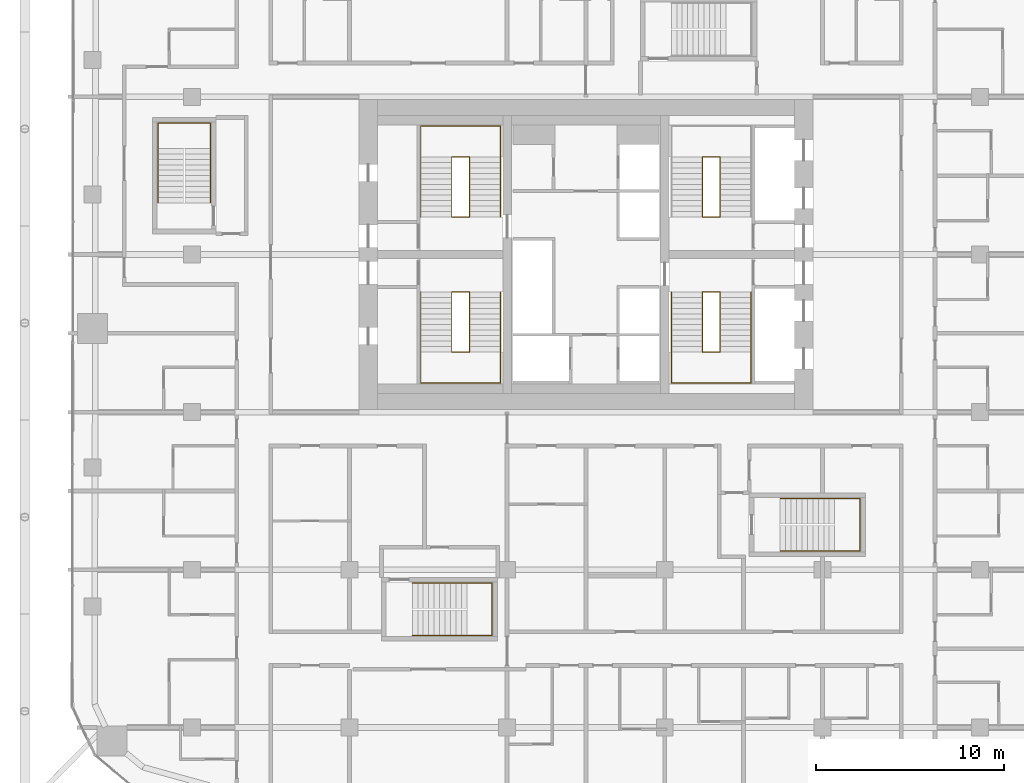
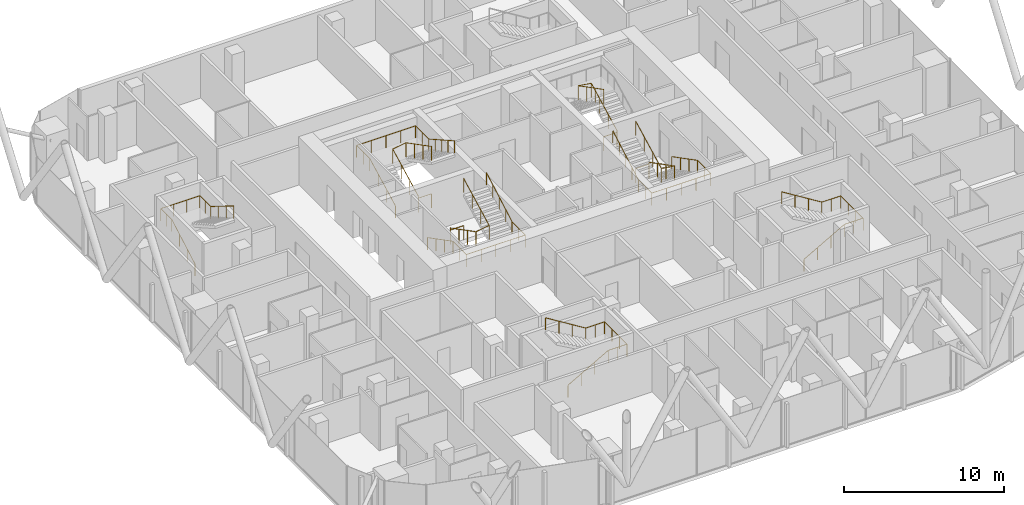
# One storey, part 32 of 33: 10 railings.
"""IFC4 building model written with IfcOpenShell, lengths in metres."""

from ifc_helpers import new_model, si_unit, direction, frame, origin, origin_2d, place, context, subcontext, project, spatial, circle, extrude, material, type_object, element, save


model = new_model("IFC4")

# Units and contexts
model_context = context("Model", 3, precision=1e-05, world=origin(), true_north=direction((0.0, 1.0)))
body_context = subcontext(model_context, "Body", "Model", "MODEL_VIEW")
ifc_project = project(units=[si_unit("LENGTHUNIT", "METRE"), si_unit("AREAUNIT", "SQUARE_METRE"), si_unit("VOLUMEUNIT", "CUBIC_METRE"), si_unit("PLANEANGLEUNIT", "RADIAN"), si_unit("MASSUNIT", "GRAM", prefix="KILO")], contexts=[model_context])

# Site, building, storey
site_placement = place(None, origin())
site = spatial("IfcSite", under=ifc_project, at=site_placement, CompositionType="ELEMENT")
building_placement = place(site_placement, origin())
building = spatial("IfcBuilding", under=site, at=building_placement, Name="Marenta Gate Hotel Tower", CompositionType="ELEMENT")
storey_placement = place(building_placement, frame((0.0, 0.0, 137.300048828125)))
storey = spatial("IfcBuildingStorey", under=building, at=storey_placement, Name="L31", CompositionType="ELEMENT", Elevation=137.300048828125)

# Railings
ifc_material_1 = material(Name="Stainless steel", Category="steel")
railing_type_1 = type_object("IfcRailingType", Name="Core stair handrail 950", PredefinedType="HANDRAIL", material=ifc_material_1)
railing_1_placement = place(storey_placement, frame((-8.800048828125, 6.39990234375, 0.14990234375)))
element("IfcRailing", 1, at=railing_1_placement, inside=storey, type_object=railing_type_1, Name="HR-950 L31-KR-ST1-1", PredefinedType="HANDRAIL", context=body_context, shape_type="SweptSolid", body=[
    extrude(circle(Radius=0.02392578125, at=origin_2d()), frame((0.0, 0.0, 0.92578125), z_axis=(0.0, -0.888197555067, 0.459461753765), x_axis=(1.0, 0.0, 0.0)), (0.0, 0.0, 1.0), 3.591552734375),
    extrude(circle(Radius=0.02392578125, at=origin_2d()), frame((0.0, -3.18994140625, 2.576171875), z_axis=(0.0, -1.0, 0.0), x_axis=(1.0, 0.0, 0.0)), (0.0, 0.0, 1.0), 1.659912109375),
    extrude(circle(Radius=0.02392578125, at=origin_2d()), frame((0.0, -4.849853515625, 2.576171875), z_axis=(1.0, 0.0, 0.0), x_axis=(0.0, 1.0, 0.0)), (0.0, 0.0, 1.0), 4.25),
    extrude(circle(Radius=0.02392578125, at=origin_2d()), frame((4.25, -4.849853515625, 2.576171875), z_axis=(0.0, 1.0, 0.0), x_axis=(-1.0, 0.0, 0.0)), (0.0, 0.0, 1.0), 1.659912109375),
    extrude(circle(Radius=0.02392578125, at=origin_2d()), frame((4.25, -3.18994140625, 2.576171875), z_axis=(0.0, 0.870937506535, 0.491393792911), x_axis=(-1.0, 0.0, 0.0)), (0.0, 0.0, 1.0), 3.66259765625),
    extrude(circle(Radius=0.02099609375, at=origin_2d()), origin(), (0.0, 0.0, 1.0), 0.90185546875),
    extrude(circle(Radius=0.02099609375, at=origin_2d()), frame((0.0, -1.063232421875, 0.550048828125)), (0.0, 0.0, 1.0), 0.90185546875),
    extrude(circle(Radius=0.02099609375, at=origin_2d()), frame((0.0, -2.126708984375, 1.10009765625)), (0.0, 0.0, 1.0), 0.90185546875),
    extrude(circle(Radius=0.02099609375, at=origin_2d()), frame((0.0, -3.18994140625, 1.650146484375)), (0.0, 0.0, 1.0), 0.90185546875),
    extrude(circle(Radius=0.02099609375, at=origin_2d()), frame((0.0, -4.02001953125, 1.650146484375)), (0.0, 0.0, 1.0), 0.90185546875),
    extrude(circle(Radius=0.02099609375, at=origin_2d()), frame((0.0, -4.849853515625, 1.650146484375)), (0.0, 0.0, 1.0), 0.90185546875),
    extrude(circle(Radius=0.02099609375, at=origin_2d()), frame((1.0625, -4.849853515625, 1.650146484375)), (0.0, 0.0, 1.0), 0.90185546875),
    extrude(circle(Radius=0.02099609375, at=origin_2d()), frame((2.125, -4.849853515625, 1.650146484375)), (0.0, 0.0, 1.0), 0.90185546875),
    extrude(circle(Radius=0.02099609375, at=origin_2d()), frame((3.1875, -4.849853515625, 1.650146484375)), (0.0, 0.0, 1.0), 0.90185546875),
    extrude(circle(Radius=0.02099609375, at=origin_2d()), frame((4.25, -4.849853515625, 1.650146484375)), (0.0, 0.0, 1.0), 0.90185546875),
    extrude(circle(Radius=0.02099609375, at=origin_2d()), frame((4.25, -4.02001953125, 1.650146484375)), (0.0, 0.0, 1.0), 0.90185546875),
    extrude(circle(Radius=0.02099609375, at=origin_2d()), frame((4.25, -3.18994140625, 1.650146484375)), (0.0, 0.0, 1.0), 0.90185546875),
    extrude(circle(Radius=0.02099609375, at=origin_2d()), frame((4.25, -2.392578125, 2.10009765625)), (0.0, 0.0, 1.0), 0.90185546875),
    extrude(circle(Radius=0.02099609375, at=origin_2d()), frame((4.25, -1.594970703125, 2.550048828125)), (0.0, 0.0, 1.0), 0.90185546875),
    extrude(circle(Radius=0.02099609375, at=origin_2d()), frame((4.25, -0.79736328125, 3.0)), (0.0, 0.0, 1.0), 0.90185546875),
    extrude(circle(Radius=0.02099609375, at=origin_2d()), frame((4.25, 0.0, 3.449951171875)), (0.0, 0.0, 1.0), 0.90185546875),
])
railing_2_placement = place(storey_placement, frame((-8.800048828125, 10.39990234375, 0.14990234375)))
element("IfcRailing", 2, at=railing_2_placement, inside=storey, type_object=railing_type_1, Name="HR-950 L31-KR-ST2-1", PredefinedType="HANDRAIL", context=body_context, shape_type="SweptSolid", body=[
    extrude(circle(Radius=0.02392578125, at=origin_2d()), frame((0.0, 0.0, 0.92578125), z_axis=(0.0, 0.888211904222, 0.459434013977), x_axis=(-1.0, 0.0, 0.0)), (0.0, 0.0, 1.0), 3.591796875),
    extrude(circle(Radius=0.02392578125, at=origin_2d()), frame((0.0, 3.190185546875, 2.576171875), z_axis=(0.0, 1.0, 0.0), x_axis=(-1.0, 0.0, 0.0)), (0.0, 0.0, 1.0), 1.659912109375),
    extrude(circle(Radius=0.02392578125, at=origin_2d()), frame((0.0, 4.85009765625, 2.576171875), z_axis=(1.0, 0.0, 0.0), x_axis=(0.0, 1.0, 0.0)), (0.0, 0.0, 1.0), 4.25),
    extrude(circle(Radius=0.02392578125, at=origin_2d()), frame((4.25, 4.85009765625, 2.576171875), z_axis=(0.0, -1.0, 0.0), x_axis=(1.0, 0.0, 0.0)), (0.0, 0.0, 1.0), 1.659912109375),
    extrude(circle(Radius=0.02392578125, at=origin_2d()), frame((4.25, 3.190185546875, 2.576171875), z_axis=(0.0, -0.870953600603, 0.491365266982), x_axis=(1.0, 0.0, 0.0)), (0.0, 0.0, 1.0), 3.662841796875),
    extrude(circle(Radius=0.02099609375, at=origin_2d()), origin(), (0.0, 0.0, 1.0), 0.90185546875),
    extrude(circle(Radius=0.02099609375, at=origin_2d()), frame((0.0, 1.0634765625, 0.550048828125)), (0.0, 0.0, 1.0), 0.90185546875),
    extrude(circle(Radius=0.02099609375, at=origin_2d()), frame((0.0, 2.126708984375, 1.10009765625)), (0.0, 0.0, 1.0), 0.90185546875),
    extrude(circle(Radius=0.02099609375, at=origin_2d()), frame((0.0, 3.190185546875, 1.650146484375)), (0.0, 0.0, 1.0), 0.90185546875),
    extrude(circle(Radius=0.02099609375, at=origin_2d()), frame((0.0, 4.02001953125, 1.650146484375)), (0.0, 0.0, 1.0), 0.90185546875),
    extrude(circle(Radius=0.02099609375, at=origin_2d()), frame((0.0, 4.85009765625, 1.650146484375)), (0.0, 0.0, 1.0), 0.90185546875),
    extrude(circle(Radius=0.02099609375, at=origin_2d()), frame((1.0625, 4.85009765625, 1.650146484375)), (0.0, 0.0, 1.0), 0.90185546875),
    extrude(circle(Radius=0.02099609375, at=origin_2d()), frame((2.125, 4.85009765625, 1.650146484375)), (0.0, 0.0, 1.0), 0.90185546875),
    extrude(circle(Radius=0.02099609375, at=origin_2d()), frame((3.1875, 4.85009765625, 1.650146484375)), (0.0, 0.0, 1.0), 0.90185546875),
    extrude(circle(Radius=0.02099609375, at=origin_2d()), frame((4.25, 4.85009765625, 1.650146484375)), (0.0, 0.0, 1.0), 0.90185546875),
    extrude(circle(Radius=0.02099609375, at=origin_2d()), frame((4.25, 4.02001953125, 1.650146484375)), (0.0, 0.0, 1.0), 0.90185546875),
    extrude(circle(Radius=0.02099609375, at=origin_2d()), frame((4.25, 3.190185546875, 1.650146484375)), (0.0, 0.0, 1.0), 0.90185546875),
    extrude(circle(Radius=0.02099609375, at=origin_2d()), frame((4.25, 2.392578125, 2.10009765625)), (0.0, 0.0, 1.0), 0.90185546875),
    extrude(circle(Radius=0.02099609375, at=origin_2d()), frame((4.25, 1.59521484375, 2.550048828125)), (0.0, 0.0, 1.0), 0.90185546875),
    extrude(circle(Radius=0.02099609375, at=origin_2d()), frame((4.25, 0.797607421875, 3.0)), (0.0, 0.0, 1.0), 0.90185546875),
    extrude(circle(Radius=0.02099609375, at=origin_2d()), frame((4.25, 0.0, 3.449951171875)), (0.0, 0.0, 1.0), 0.90185546875),
])
railing_3_placement = place(storey_placement, frame((8.800048828125, 6.39990234375, 0.14990234375)))
element("IfcRailing", 3, at=railing_3_placement, inside=storey, type_object=railing_type_1, Name="HR-950 L31-KR-ST3-1", PredefinedType="HANDRAIL", context=body_context, shape_type="SweptSolid", body=[
    extrude(circle(Radius=0.02392578125, at=origin_2d()), frame((0.0, 0.0, 0.92578125), z_axis=(0.0, -0.888197555067, 0.459461753765), x_axis=(1.0, 0.0, 0.0)), (0.0, 0.0, 1.0), 3.591552734375),
    extrude(circle(Radius=0.02392578125, at=origin_2d()), frame((0.0, -3.18994140625, 2.576171875), z_axis=(0.0, -1.0, 0.0), x_axis=(1.0, 0.0, 0.0)), (0.0, 0.0, 1.0), 1.659912109375),
    extrude(circle(Radius=0.02392578125, at=origin_2d()), frame((0.0, -4.849853515625, 2.576171875), z_axis=(-1.0, 0.0, 0.0), x_axis=(0.0, -1.0, 0.0)), (0.0, 0.0, 1.0), 4.25),
    extrude(circle(Radius=0.02392578125, at=origin_2d()), frame((-4.25, -4.849853515625, 2.576171875), z_axis=(0.0, 1.0, 0.0), x_axis=(-1.0, 0.0, 0.0)), (0.0, 0.0, 1.0), 1.659912109375),
    extrude(circle(Radius=0.02392578125, at=origin_2d()), frame((-4.25, -3.18994140625, 2.576171875), z_axis=(0.0, 0.870937506535, 0.491393792911), x_axis=(-1.0, 0.0, 0.0)), (0.0, 0.0, 1.0), 3.66259765625),
    extrude(circle(Radius=0.02099609375, at=origin_2d()), origin(), (0.0, 0.0, 1.0), 0.90185546875),
    extrude(circle(Radius=0.02099609375, at=origin_2d()), frame((0.0, -1.063232421875, 0.550048828125)), (0.0, 0.0, 1.0), 0.90185546875),
    extrude(circle(Radius=0.02099609375, at=origin_2d()), frame((0.0, -2.126708984375, 1.10009765625)), (0.0, 0.0, 1.0), 0.90185546875),
    extrude(circle(Radius=0.02099609375, at=origin_2d()), frame((0.0, -3.18994140625, 1.650146484375)), (0.0, 0.0, 1.0), 0.90185546875),
    extrude(circle(Radius=0.02099609375, at=origin_2d()), frame((0.0, -4.02001953125, 1.650146484375)), (0.0, 0.0, 1.0), 0.90185546875),
    extrude(circle(Radius=0.02099609375, at=origin_2d()), frame((0.0, -4.849853515625, 1.650146484375)), (0.0, 0.0, 1.0), 0.90185546875),
    extrude(circle(Radius=0.02099609375, at=origin_2d()), frame((-1.0625, -4.849853515625, 1.650146484375)), (0.0, 0.0, 1.0), 0.90185546875),
    extrude(circle(Radius=0.02099609375, at=origin_2d()), frame((-2.125, -4.849853515625, 1.650146484375)), (0.0, 0.0, 1.0), 0.90185546875),
    extrude(circle(Radius=0.02099609375, at=origin_2d()), frame((-3.1875, -4.849853515625, 1.650146484375)), (0.0, 0.0, 1.0), 0.90185546875),
    extrude(circle(Radius=0.02099609375, at=origin_2d()), frame((-4.25, -4.849853515625, 1.650146484375)), (0.0, 0.0, 1.0), 0.90185546875),
    extrude(circle(Radius=0.02099609375, at=origin_2d()), frame((-4.25, -4.02001953125, 1.650146484375)), (0.0, 0.0, 1.0), 0.90185546875),
    extrude(circle(Radius=0.02099609375, at=origin_2d()), frame((-4.25, -3.18994140625, 1.650146484375)), (0.0, 0.0, 1.0), 0.90185546875),
    extrude(circle(Radius=0.02099609375, at=origin_2d()), frame((-4.25, -2.392578125, 2.10009765625)), (0.0, 0.0, 1.0), 0.90185546875),
    extrude(circle(Radius=0.02099609375, at=origin_2d()), frame((-4.25, -1.594970703125, 2.550048828125)), (0.0, 0.0, 1.0), 0.90185546875),
    extrude(circle(Radius=0.02099609375, at=origin_2d()), frame((-4.25, -0.79736328125, 3.0)), (0.0, 0.0, 1.0), 0.90185546875),
    extrude(circle(Radius=0.02099609375, at=origin_2d()), frame((-4.25, 0.0, 3.449951171875)), (0.0, 0.0, 1.0), 0.90185546875),
])
railing_4_placement = place(storey_placement, frame((-22.800048828125, 11.14990234375, 0.16357421875)))
element("IfcRailing", 4, at=railing_4_placement, inside=storey, type_object=railing_type_1, Name="HR-950 L31-RS-Z1-3-KR-1", PredefinedType="HANDRAIL", context=body_context, shape_type="SweptSolid", body=[
    extrude(circle(Radius=0.02392578125, at=origin_2d()), frame((0.0, 0.0, 0.92578125), z_axis=(0.0, 0.870914908162, 0.491433843708), x_axis=(-1.0, 0.0, 0.0)), (0.0, 0.0, 1.0), 3.330078125),
    extrude(circle(Radius=0.02392578125, at=origin_2d()), frame((0.0, 2.900146484375, 2.5625), z_axis=(0.0, 1.0, 0.0), x_axis=(-1.0, 0.0, 0.0)), (0.0, 0.0, 1.0), 1.349853515625),
    extrude(circle(Radius=0.02392578125, at=origin_2d()), frame((0.0, 4.25, 2.5625), z_axis=(1.0, 0.0, 0.0), x_axis=(0.0, 1.0, 0.0)), (0.0, 0.0, 1.0), 2.800048828125),
    extrude(circle(Radius=0.02392578125, at=origin_2d()), frame((2.800048828125, 4.25, 2.5625), z_axis=(0.0, -1.0, 0.0), x_axis=(1.0, 0.0, 0.0)), (0.0, 0.0, 1.0), 1.349853515625),
    extrude(circle(Radius=0.02392578125, at=origin_2d()), frame((2.800048828125, 2.900146484375, 2.5625), z_axis=(0.0, -0.849677739116, 0.527302322819), x_axis=(1.0, 0.0, 0.0)), (0.0, 0.0, 1.0), 3.413330078125),
    extrude(circle(Radius=0.02099609375, at=origin_2d()), origin(), (0.0, 0.0, 1.0), 0.90185546875),
    extrude(circle(Radius=0.02099609375, at=origin_2d()), frame((0.0, 0.966796875, 0.54541015625)), (0.0, 0.0, 1.0), 0.90185546875),
    extrude(circle(Radius=0.02099609375, at=origin_2d()), frame((0.0, 1.933349609375, 1.091064453125)), (0.0, 0.0, 1.0), 0.90185546875),
    extrude(circle(Radius=0.02099609375, at=origin_2d()), frame((0.0, 2.900146484375, 1.636474609375)), (0.0, 0.0, 1.0), 0.90185546875),
    extrude(circle(Radius=0.02099609375, at=origin_2d()), frame((0.0, 3.5751953125, 1.636474609375)), (0.0, 0.0, 1.0), 0.90185546875),
    extrude(circle(Radius=0.02099609375, at=origin_2d()), frame((0.0, 4.25, 1.636474609375)), (0.0, 0.0, 1.0), 0.90185546875),
    extrude(circle(Radius=0.02099609375, at=origin_2d()), frame((0.933349609375, 4.25, 1.636474609375)), (0.0, 0.0, 1.0), 0.90185546875),
    extrude(circle(Radius=0.02099609375, at=origin_2d()), frame((1.86669921875, 4.25, 1.636474609375)), (0.0, 0.0, 1.0), 0.90185546875),
    extrude(circle(Radius=0.02099609375, at=origin_2d()), frame((2.800048828125, 4.25, 1.636474609375)), (0.0, 0.0, 1.0), 0.90185546875),
    extrude(circle(Radius=0.02099609375, at=origin_2d()), frame((2.800048828125, 3.5751953125, 1.636474609375)), (0.0, 0.0, 1.0), 0.90185546875),
    extrude(circle(Radius=0.02099609375, at=origin_2d()), frame((2.800048828125, 2.900146484375, 1.636474609375)), (0.0, 0.0, 1.0), 0.90185546875),
    extrude(circle(Radius=0.02099609375, at=origin_2d()), frame((2.800048828125, 1.933349609375, 2.236328125)), (0.0, 0.0, 1.0), 0.90185546875),
    extrude(circle(Radius=0.02099609375, at=origin_2d()), frame((2.800048828125, 0.966796875, 2.83642578125)), (0.0, 0.0, 1.0), 0.90185546875),
    extrude(circle(Radius=0.02099609375, at=origin_2d()), frame((2.800048828125, 0.0, 3.436279296875)), (0.0, 0.0, 1.0), 0.90185546875),
])
railing_5_placement = place(storey_placement, frame((-9.25, -11.89990234375, 0.16357421875)))
element("IfcRailing", 5, at=railing_5_placement, inside=storey, type_object=railing_type_1, Name="HR-950 L31-RS-Z2-1-KR-1", PredefinedType="HANDRAIL", context=body_context, shape_type="SweptSolid", body=[
    extrude(circle(Radius=0.02392578125, at=origin_2d()), frame((0.0, 0.0, 0.92578125), z_axis=(0.870897200241, 0.0, 0.491465224214), x_axis=(0.0, 1.0, 0.0)), (0.0, 0.0, 1.0), 3.329833984375),
    extrude(circle(Radius=0.02392578125, at=origin_2d()), frame((2.89990234375, 0.0, 2.5625), z_axis=(1.0, 0.0, 0.0), x_axis=(0.0, 1.0, 0.0)), (0.0, 0.0, 1.0), 1.35009765625),
    extrude(circle(Radius=0.02392578125, at=origin_2d()), frame((4.25, 0.0, 2.5625), z_axis=(0.0, 1.0, 0.0), x_axis=(-1.0, 0.0, 0.0)), (0.0, 0.0, 1.0), 2.7998046875),
    extrude(circle(Radius=0.02392578125, at=origin_2d()), frame((4.25, 2.7998046875, 2.5625), z_axis=(-1.0, 0.0, 0.0), x_axis=(0.0, -1.0, 0.0)), (0.0, 0.0, 1.0), 1.35009765625),
    extrude(circle(Radius=0.02392578125, at=origin_2d()), frame((2.89990234375, 2.7998046875, 2.5625), z_axis=(-0.849657849183, 0.0, 0.527334371458), x_axis=(0.0, -1.0, 0.0)), (0.0, 0.0, 1.0), 3.4130859375),
    extrude(circle(Radius=0.02099609375, at=origin_2d()), origin(), (0.0, 0.0, 1.0), 0.90185546875),
    extrude(circle(Radius=0.02099609375, at=origin_2d()), frame((0.966552734375, 0.0, 0.54541015625)), (0.0, 0.0, 1.0), 0.90185546875),
    extrude(circle(Radius=0.02099609375, at=origin_2d()), frame((1.933349609375, 0.0, 1.091064453125)), (0.0, 0.0, 1.0), 0.90185546875),
    extrude(circle(Radius=0.02099609375, at=origin_2d()), frame((2.89990234375, 0.0, 1.636474609375)), (0.0, 0.0, 1.0), 0.90185546875),
    extrude(circle(Radius=0.02099609375, at=origin_2d()), frame((3.574951171875, 0.0, 1.636474609375)), (0.0, 0.0, 1.0), 0.90185546875),
    extrude(circle(Radius=0.02099609375, at=origin_2d()), frame((4.25, 0.0, 1.636474609375)), (0.0, 0.0, 1.0), 0.90185546875),
    extrude(circle(Radius=0.02099609375, at=origin_2d()), frame((4.25, 0.933349609375, 1.636474609375)), (0.0, 0.0, 1.0), 0.90185546875),
    extrude(circle(Radius=0.02099609375, at=origin_2d()), frame((4.25, 1.866455078125, 1.636474609375)), (0.0, 0.0, 1.0), 0.90185546875),
    extrude(circle(Radius=0.02099609375, at=origin_2d()), frame((4.25, 2.7998046875, 1.636474609375)), (0.0, 0.0, 1.0), 0.90185546875),
    extrude(circle(Radius=0.02099609375, at=origin_2d()), frame((3.574951171875, 2.7998046875, 1.636474609375)), (0.0, 0.0, 1.0), 0.90185546875),
    extrude(circle(Radius=0.02099609375, at=origin_2d()), frame((2.89990234375, 2.7998046875, 1.636474609375)), (0.0, 0.0, 1.0), 0.90185546875),
    extrude(circle(Radius=0.02099609375, at=origin_2d()), frame((1.933349609375, 2.7998046875, 2.236328125)), (0.0, 0.0, 1.0), 0.90185546875),
    extrude(circle(Radius=0.02099609375, at=origin_2d()), frame((0.966552734375, 2.7998046875, 2.83642578125)), (0.0, 0.0, 1.0), 0.90185546875),
    extrude(circle(Radius=0.02099609375, at=origin_2d()), frame((0.0, 2.7998046875, 3.436279296875)), (0.0, 0.0, 1.0), 0.90185546875),
])
railing_6_placement = place(storey_placement, frame((10.35009765625, -7.39990234375, 0.16357421875)))
element("IfcRailing", 6, at=railing_6_placement, inside=storey, type_object=railing_type_1, Name="HR-950 L31-RS-Z2-2-KR-1", PredefinedType="HANDRAIL", context=body_context, shape_type="SweptSolid", body=[
    extrude(circle(Radius=0.02392578125, at=origin_2d()), frame((0.0, 0.0, 0.92578125), z_axis=(0.870897200241, 0.0, 0.491465224214), x_axis=(0.0, 1.0, 0.0)), (0.0, 0.0, 1.0), 3.329833984375),
    extrude(circle(Radius=0.02392578125, at=origin_2d()), frame((2.89990234375, 0.0, 2.5625), z_axis=(1.0, 0.0, 0.0), x_axis=(0.0, 1.0, 0.0)), (0.0, 0.0, 1.0), 1.35009765625),
    extrude(circle(Radius=0.02392578125, at=origin_2d()), frame((4.25, 0.0, 2.5625), z_axis=(0.0, 1.0, 0.0), x_axis=(-1.0, 0.0, 0.0)), (0.0, 0.0, 1.0), 2.7998046875),
    extrude(circle(Radius=0.02392578125, at=origin_2d()), frame((4.25, 2.7998046875, 2.5625), z_axis=(-1.0, 0.0, 0.0), x_axis=(0.0, -1.0, 0.0)), (0.0, 0.0, 1.0), 1.35009765625),
    extrude(circle(Radius=0.02392578125, at=origin_2d()), frame((2.89990234375, 2.7998046875, 2.5625), z_axis=(-0.849657849183, 0.0, 0.527334371458), x_axis=(0.0, -1.0, 0.0)), (0.0, 0.0, 1.0), 3.4130859375),
    extrude(circle(Radius=0.02099609375, at=origin_2d()), origin(), (0.0, 0.0, 1.0), 0.90185546875),
    extrude(circle(Radius=0.02099609375, at=origin_2d()), frame((0.966552734375, 0.0, 0.54541015625)), (0.0, 0.0, 1.0), 0.90185546875),
    extrude(circle(Radius=0.02099609375, at=origin_2d()), frame((1.933349609375, 0.0, 1.091064453125)), (0.0, 0.0, 1.0), 0.90185546875),
    extrude(circle(Radius=0.02099609375, at=origin_2d()), frame((2.89990234375, 0.0, 1.636474609375)), (0.0, 0.0, 1.0), 0.90185546875),
    extrude(circle(Radius=0.02099609375, at=origin_2d()), frame((3.574951171875, 0.0, 1.636474609375)), (0.0, 0.0, 1.0), 0.90185546875),
    extrude(circle(Radius=0.02099609375, at=origin_2d()), frame((4.25, 0.0, 1.636474609375)), (0.0, 0.0, 1.0), 0.90185546875),
    extrude(circle(Radius=0.02099609375, at=origin_2d()), frame((4.25, 0.933349609375, 1.636474609375)), (0.0, 0.0, 1.0), 0.90185546875),
    extrude(circle(Radius=0.02099609375, at=origin_2d()), frame((4.25, 1.866455078125, 1.636474609375)), (0.0, 0.0, 1.0), 0.90185546875),
    extrude(circle(Radius=0.02099609375, at=origin_2d()), frame((4.25, 2.7998046875, 1.636474609375)), (0.0, 0.0, 1.0), 0.90185546875),
    extrude(circle(Radius=0.02099609375, at=origin_2d()), frame((3.574951171875, 2.7998046875, 1.636474609375)), (0.0, 0.0, 1.0), 0.90185546875),
    extrude(circle(Radius=0.02099609375, at=origin_2d()), frame((2.89990234375, 2.7998046875, 1.636474609375)), (0.0, 0.0, 1.0), 0.90185546875),
    extrude(circle(Radius=0.02099609375, at=origin_2d()), frame((1.933349609375, 2.7998046875, 2.236328125)), (0.0, 0.0, 1.0), 0.90185546875),
    extrude(circle(Radius=0.02099609375, at=origin_2d()), frame((0.966552734375, 2.7998046875, 2.83642578125)), (0.0, 0.0, 1.0), 0.90185546875),
    extrude(circle(Radius=0.02099609375, at=origin_2d()), frame((0.0, 2.7998046875, 3.436279296875)), (0.0, 0.0, 1.0), 0.90185546875),
])
ifc_material_2 = material(Name="Stainless steel", Category="steel")
railing_type_2 = type_object("IfcRailingType", Name="Core stair well guard 1100", PredefinedType="GUARDRAIL", material=ifc_material_2)
railing_7_placement = place(storey_placement, frame((-6.199951171875, 6.39990234375, 0.0)))
element("IfcRailing", 7, at=railing_7_placement, inside=storey, type_object=railing_type_2, Name="GR-1100 L31-KR-ST1-2", PredefinedType="GUARDRAIL", context=body_context, shape_type="SweptSolid", body=[
    extrude(circle(Radius=0.02392578125, at=origin_2d()), frame((0.0, 0.0, 1.076171875), z_axis=(-1.0, 0.0, 0.0), x_axis=(0.0, -1.0, 0.0)), (0.0, 0.0, 1.0), 0.949951171875),
    extrude(circle(Radius=0.02392578125, at=origin_2d()), frame((-0.949951171875, 0.0, 1.076171875), z_axis=(0.0, 0.0, 1.0), x_axis=(1.0, 0.0, 0.0)), (0.0, 0.0, 1.0), 0.14990234375),
    extrude(circle(Radius=0.02392578125, at=origin_2d()), frame((-0.949951171875, 0.0, 1.22607421875), z_axis=(0.0, -0.888197555067, 0.459461753765), x_axis=(1.0, 0.0, 0.0)), (0.0, 0.0, 1.0), 3.591552734375),
    extrude(circle(Radius=0.02392578125, at=origin_2d()), frame((-0.949951171875, -3.18994140625, 2.8759765625), z_axis=(0.987777369502, 0.0, 0.15587131968), x_axis=(0.0, 1.0, 0.0)), (0.0, 0.0, 1.0), 0.961669921875),
    extrude(circle(Radius=0.02392578125, at=origin_2d()), frame((0.0, -3.18994140625, 3.02587890625), z_axis=(0.0, 0.888225295554, 0.459408123936), x_axis=(-1.0, 0.0, 0.0)), (0.0, 0.0, 1.0), 3.59130859375),
    extrude(circle(Radius=0.02099609375, at=origin_2d()), origin(), (0.0, 0.0, 1.0), 1.052001953125),
    extrude(circle(Radius=0.02099609375, at=origin_2d()), frame((-0.949951171875, 0.0, 0.0)), (0.0, 0.0, 1.0), 1.052001953125),
    extrude(circle(Radius=0.02099609375, at=origin_2d()), frame((-0.949951171875, 0.0, 0.14990234375)), (0.0, 0.0, 1.0), 1.052001953125),
    extrude(circle(Radius=0.02099609375, at=origin_2d()), frame((-0.949951171875, -1.063232421875, 0.699951171875)), (0.0, 0.0, 1.0), 1.052001953125),
    extrude(circle(Radius=0.02099609375, at=origin_2d()), frame((-0.949951171875, -2.126708984375, 1.25)), (0.0, 0.0, 1.0), 1.052001953125),
    extrude(circle(Radius=0.02099609375, at=origin_2d()), frame((-0.949951171875, -3.18994140625, 1.800048828125)), (0.0, 0.0, 1.0), 1.052001953125),
    extrude(circle(Radius=0.02099609375, at=origin_2d()), frame((0.0, -3.18994140625, 1.949951171875)), (0.0, 0.0, 1.0), 1.052001953125),
    extrude(circle(Radius=0.02099609375, at=origin_2d()), frame((0.0, -2.126708984375, 2.5)), (0.0, 0.0, 1.0), 1.052001953125),
    extrude(circle(Radius=0.02099609375, at=origin_2d()), frame((0.0, -1.063232421875, 3.0498046875)), (0.0, 0.0, 1.0), 1.052001953125),
    extrude(circle(Radius=0.02099609375, at=origin_2d()), frame((0.0, 0.0, 3.599853515625)), (0.0, 0.0, 1.0), 1.052001953125),
])
railing_8_placement = place(storey_placement, frame((-6.199951171875, 10.39990234375, 0.0)))
element("IfcRailing", 8, at=railing_8_placement, inside=storey, type_object=railing_type_2, Name="GR-1100 L31-KR-ST2-2", PredefinedType="GUARDRAIL", context=body_context, shape_type="SweptSolid", body=[
    extrude(circle(Radius=0.02392578125, at=origin_2d()), frame((0.0, 0.0, 1.076171875), z_axis=(-1.0, 0.0, 0.0), x_axis=(0.0, -1.0, 0.0)), (0.0, 0.0, 1.0), 0.949951171875),
    extrude(circle(Radius=0.02392578125, at=origin_2d()), frame((-0.949951171875, 0.0, 1.076171875), z_axis=(0.0, 0.0, 1.0), x_axis=(1.0, 0.0, 0.0)), (0.0, 0.0, 1.0), 0.14990234375),
    extrude(circle(Radius=0.02392578125, at=origin_2d()), frame((-0.949951171875, 0.0, 1.22607421875), z_axis=(0.0, 0.888211904222, 0.459434013977), x_axis=(-1.0, 0.0, 0.0)), (0.0, 0.0, 1.0), 3.591796875),
    extrude(circle(Radius=0.02392578125, at=origin_2d()), frame((-0.949951171875, 3.190185546875, 2.8759765625), z_axis=(0.987777369502, 0.0, 0.15587131968), x_axis=(0.0, 1.0, 0.0)), (0.0, 0.0, 1.0), 0.961669921875),
    extrude(circle(Radius=0.02392578125, at=origin_2d()), frame((0.0, 3.190185546875, 3.02587890625), z_axis=(0.0, -0.888239641807, 0.459380385653), x_axis=(1.0, 0.0, 0.0)), (0.0, 0.0, 1.0), 3.591552734375),
    extrude(circle(Radius=0.02099609375, at=origin_2d()), origin(), (0.0, 0.0, 1.0), 1.052001953125),
    extrude(circle(Radius=0.02099609375, at=origin_2d()), frame((-0.949951171875, 0.0, 0.0)), (0.0, 0.0, 1.0), 1.052001953125),
    extrude(circle(Radius=0.02099609375, at=origin_2d()), frame((-0.949951171875, 0.0, 0.14990234375)), (0.0, 0.0, 1.0), 1.052001953125),
    extrude(circle(Radius=0.02099609375, at=origin_2d()), frame((-0.949951171875, 1.0634765625, 0.699951171875)), (0.0, 0.0, 1.0), 1.052001953125),
    extrude(circle(Radius=0.02099609375, at=origin_2d()), frame((-0.949951171875, 2.126708984375, 1.25)), (0.0, 0.0, 1.0), 1.052001953125),
    extrude(circle(Radius=0.02099609375, at=origin_2d()), frame((-0.949951171875, 3.190185546875, 1.800048828125)), (0.0, 0.0, 1.0), 1.052001953125),
    extrude(circle(Radius=0.02099609375, at=origin_2d()), frame((0.0, 3.190185546875, 1.949951171875)), (0.0, 0.0, 1.0), 1.052001953125),
    extrude(circle(Radius=0.02099609375, at=origin_2d()), frame((0.0, 2.126708984375, 2.5)), (0.0, 0.0, 1.0), 1.052001953125),
    extrude(circle(Radius=0.02099609375, at=origin_2d()), frame((0.0, 1.0634765625, 3.0498046875)), (0.0, 0.0, 1.0), 1.052001953125),
    extrude(circle(Radius=0.02099609375, at=origin_2d()), frame((0.0, 0.0, 3.599853515625)), (0.0, 0.0, 1.0), 1.052001953125),
])
railing_9_placement = place(storey_placement, frame((6.199951171875, 6.39990234375, 0.0)))
element("IfcRailing", 9, at=railing_9_placement, inside=storey, type_object=railing_type_2, Name="GR-1100 L31-KR-ST3-2", PredefinedType="GUARDRAIL", context=body_context, shape_type="SweptSolid", body=[
    extrude(circle(Radius=0.02392578125, at=origin_2d()), frame((0.0, 0.0, 1.076171875), z_axis=(1.0, 0.0, 0.0), x_axis=(0.0, 1.0, 0.0)), (0.0, 0.0, 1.0), 0.949951171875),
    extrude(circle(Radius=0.02392578125, at=origin_2d()), frame((0.949951171875, 0.0, 1.076171875), z_axis=(0.0, 0.0, 1.0), x_axis=(1.0, 0.0, 0.0)), (0.0, 0.0, 1.0), 0.14990234375),
    extrude(circle(Radius=0.02392578125, at=origin_2d()), frame((0.949951171875, 0.0, 1.22607421875), z_axis=(0.0, -0.888197555067, 0.459461753765), x_axis=(1.0, 0.0, 0.0)), (0.0, 0.0, 1.0), 3.591552734375),
    extrude(circle(Radius=0.02392578125, at=origin_2d()), frame((0.949951171875, -3.18994140625, 2.8759765625), z_axis=(-0.987777369502, 0.0, 0.15587131968), x_axis=(0.0, -1.0, 0.0)), (0.0, 0.0, 1.0), 0.961669921875),
    extrude(circle(Radius=0.02392578125, at=origin_2d()), frame((0.0, -3.18994140625, 3.02587890625), z_axis=(0.0, 0.888225295554, 0.459408123936), x_axis=(-1.0, 0.0, 0.0)), (0.0, 0.0, 1.0), 3.59130859375),
    extrude(circle(Radius=0.02099609375, at=origin_2d()), origin(), (0.0, 0.0, 1.0), 1.052001953125),
    extrude(circle(Radius=0.02099609375, at=origin_2d()), frame((0.949951171875, 0.0, 0.0)), (0.0, 0.0, 1.0), 1.052001953125),
    extrude(circle(Radius=0.02099609375, at=origin_2d()), frame((0.949951171875, 0.0, 0.14990234375)), (0.0, 0.0, 1.0), 1.052001953125),
    extrude(circle(Radius=0.02099609375, at=origin_2d()), frame((0.949951171875, -1.063232421875, 0.699951171875)), (0.0, 0.0, 1.0), 1.052001953125),
    extrude(circle(Radius=0.02099609375, at=origin_2d()), frame((0.949951171875, -2.126708984375, 1.25)), (0.0, 0.0, 1.0), 1.052001953125),
    extrude(circle(Radius=0.02099609375, at=origin_2d()), frame((0.949951171875, -3.18994140625, 1.800048828125)), (0.0, 0.0, 1.0), 1.052001953125),
    extrude(circle(Radius=0.02099609375, at=origin_2d()), frame((0.0, -3.18994140625, 1.949951171875)), (0.0, 0.0, 1.0), 1.052001953125),
    extrude(circle(Radius=0.02099609375, at=origin_2d()), frame((0.0, -2.126708984375, 2.5)), (0.0, 0.0, 1.0), 1.052001953125),
    extrude(circle(Radius=0.02099609375, at=origin_2d()), frame((0.0, -1.063232421875, 3.0498046875)), (0.0, 0.0, 1.0), 1.052001953125),
    extrude(circle(Radius=0.02099609375, at=origin_2d()), frame((0.0, 0.0, 3.599853515625)), (0.0, 0.0, 1.0), 1.052001953125),
])
railing_10_placement = place(storey_placement, frame((6.199951171875, 10.39990234375, 0.0)))
element("IfcRailing", 10, at=railing_10_placement, inside=storey, type_object=railing_type_2, Name="GR-1100 L31-KR-ST4-2", PredefinedType="GUARDRAIL", context=body_context, shape_type="SweptSolid", body=[
    extrude(circle(Radius=0.02392578125, at=origin_2d()), frame((0.0, 0.0, 1.076171875), z_axis=(1.0, 0.0, 0.0), x_axis=(0.0, 1.0, 0.0)), (0.0, 0.0, 1.0), 0.949951171875),
    extrude(circle(Radius=0.02392578125, at=origin_2d()), frame((0.949951171875, 0.0, 1.076171875), z_axis=(0.0, 0.0, 1.0), x_axis=(1.0, 0.0, 0.0)), (0.0, 0.0, 1.0), 0.14990234375),
    extrude(circle(Radius=0.02392578125, at=origin_2d()), frame((0.949951171875, 0.0, 1.22607421875), z_axis=(0.0, 0.888211904222, 0.459434013977), x_axis=(-1.0, 0.0, 0.0)), (0.0, 0.0, 1.0), 3.591796875),
    extrude(circle(Radius=0.02392578125, at=origin_2d()), frame((0.949951171875, 3.190185546875, 2.8759765625), z_axis=(-0.987777369502, 0.0, 0.15587131968), x_axis=(0.0, -1.0, 0.0)), (0.0, 0.0, 1.0), 0.961669921875),
    extrude(circle(Radius=0.02392578125, at=origin_2d()), frame((0.0, 3.190185546875, 3.02587890625), z_axis=(0.0, -0.888239641807, 0.459380385653), x_axis=(1.0, 0.0, 0.0)), (0.0, 0.0, 1.0), 3.591552734375),
    extrude(circle(Radius=0.02099609375, at=origin_2d()), origin(), (0.0, 0.0, 1.0), 1.052001953125),
    extrude(circle(Radius=0.02099609375, at=origin_2d()), frame((0.949951171875, 0.0, 0.0)), (0.0, 0.0, 1.0), 1.052001953125),
    extrude(circle(Radius=0.02099609375, at=origin_2d()), frame((0.949951171875, 0.0, 0.14990234375)), (0.0, 0.0, 1.0), 1.052001953125),
    extrude(circle(Radius=0.02099609375, at=origin_2d()), frame((0.949951171875, 1.0634765625, 0.699951171875)), (0.0, 0.0, 1.0), 1.052001953125),
    extrude(circle(Radius=0.02099609375, at=origin_2d()), frame((0.949951171875, 2.126708984375, 1.25)), (0.0, 0.0, 1.0), 1.052001953125),
    extrude(circle(Radius=0.02099609375, at=origin_2d()), frame((0.949951171875, 3.190185546875, 1.800048828125)), (0.0, 0.0, 1.0), 1.052001953125),
    extrude(circle(Radius=0.02099609375, at=origin_2d()), frame((0.0, 3.190185546875, 1.949951171875)), (0.0, 0.0, 1.0), 1.052001953125),
    extrude(circle(Radius=0.02099609375, at=origin_2d()), frame((0.0, 2.126708984375, 2.5)), (0.0, 0.0, 1.0), 1.052001953125),
    extrude(circle(Radius=0.02099609375, at=origin_2d()), frame((0.0, 1.0634765625, 3.0498046875)), (0.0, 0.0, 1.0), 1.052001953125),
    extrude(circle(Radius=0.02099609375, at=origin_2d()), frame((0.0, 0.0, 3.599853515625)), (0.0, 0.0, 1.0), 1.052001953125),
])

save(model, "model.ifc")
